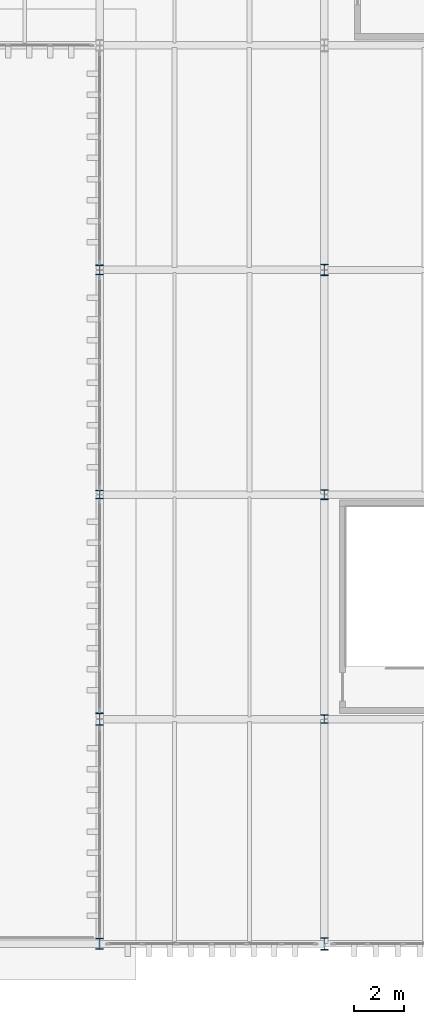
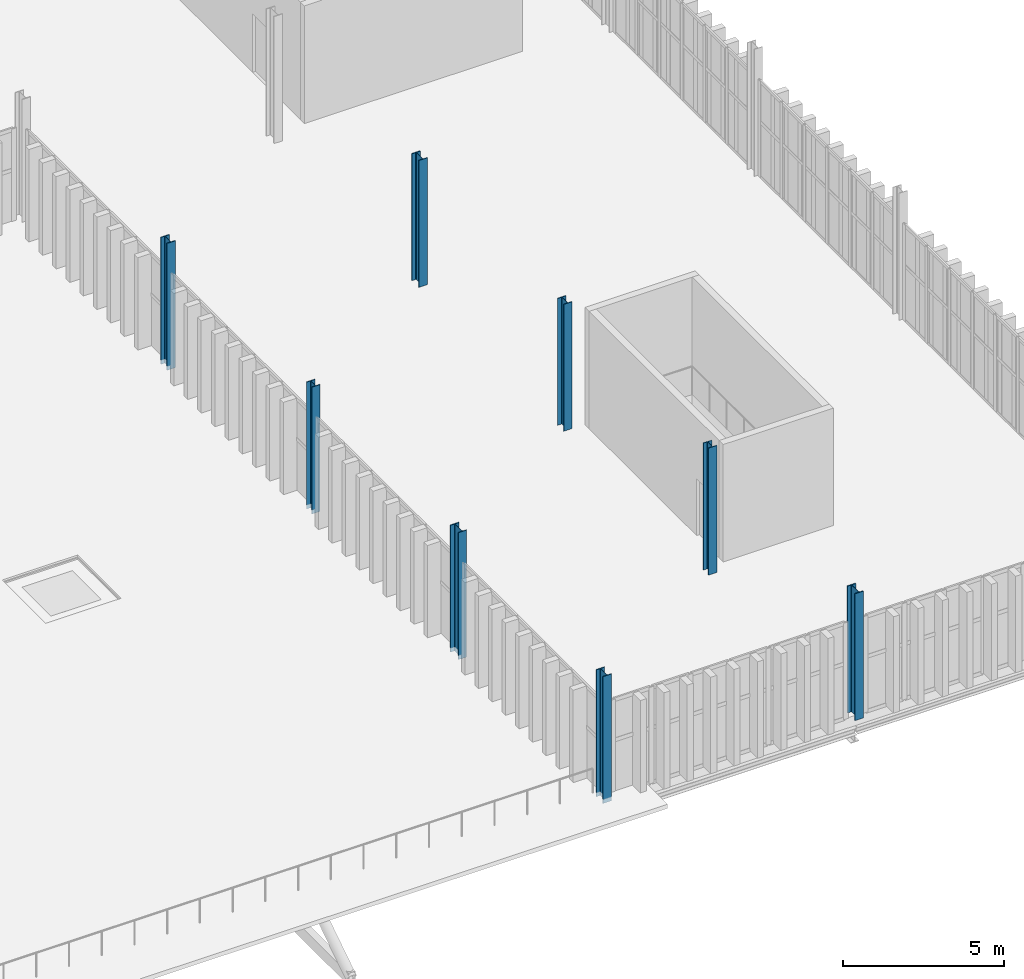
# One storey, part 8 of 196: 8 columns.
"""IFC4 building model written with IfcOpenShell, lengths in metres."""

import ifcopenshell
import ifcopenshell.guid

model = None  # the IFC model being written
_history = None  # IfcOwnerHistory: only IFC2X3 demands one
_inside = {}  # id of a spatial element -> (the spatial element, [elements in it])
_under = {}  # id of a project, library or spatial element -> (it, [spatial elements below it])
_declared = {}  # id of a project -> (the project, [libraries it declares])
_typed = {}  # id of a type object -> (the type object, [elements of that type])
_made_of = {}  # id of a material, layer set ... -> (it, [elements and type objects made of it])


def new_model(schema):
    """Start an empty IFC model of exactly this schema.

    Asked for "IFC4X3", IfcOpenShell would pick the latest addendum, in which some entities
    have other attributes; the version numbers below select the first issue.
    IFC2X3 requires an IfcOwnerHistory on every rooted entity: one is made here for all.
    """
    global model, _history
    if schema == "IFC4X3":
        model = ifcopenshell.file(schema_version=(4, 3, 0, 0))
    else:
        model = ifcopenshell.file(schema=schema)
    _inside.clear()
    _under.clear()
    _declared.clear()
    _typed.clear()
    _made_of.clear()
    _history = None
    if model.schema == "IFC2X3":
        org = make("IfcOrganization", Name="unknown")
        user = make(
            "IfcPersonAndOrganization",
            ThePerson=make("IfcPerson", FamilyName="unknown"),
            TheOrganization=org,
        )
        app = make(
            "IfcApplication",
            ApplicationDeveloper=org,
            Version="unknown",
            ApplicationFullName="unknown",
            ApplicationIdentifier="unknown",
        )
        _history = make(
            "IfcOwnerHistory",
            OwningUser=user,
            OwningApplication=app,
            ChangeAction="ADDED",
            CreationDate=0,
        )
    return model


def make(cls, **values):
    """One entity of the class cls with the attributes given. An attribute that is None is left unset."""
    return model.create_entity(
        cls, **{name: value for name, value in values.items() if value is not None}
    )


def rooted(cls, **values):
    """An entity with a GlobalId (a new one), such as an element, a storey or a relation."""
    return make(cls, GlobalId=ifcopenshell.guid.new(), OwnerHistory=_history, **values)


def si_unit(unit_type, name, prefix=None):
    """IfcSIUnit, for example si_unit("LENGTHUNIT", "METRE", prefix="MILLI")."""
    return make("IfcSIUnit", UnitType=unit_type, Prefix=prefix, Name=name)


def assignment(units):
    """IfcUnitAssignment: the units of a project."""
    return None if units is None else make("IfcUnitAssignment", Units=units)


def point(xyz):
    """IfcCartesianPoint."""
    return None if xyz is None else make("IfcCartesianPoint", Coordinates=xyz)


def direction(xyz):
    """IfcDirection."""
    return None if xyz is None else make("IfcDirection", DirectionRatios=xyz)


def frame(location, z_axis=None, x_axis=None):
    """IfcAxis2Placement3D, a coordinate frame: its origin and axes. An axis left out is left unset."""
    return make(
        "IfcAxis2Placement3D",
        Location=point(location),
        Axis=direction(z_axis),
        RefDirection=direction(x_axis),
    )


def frame_2d(location, x_axis=None):
    """IfcAxis2Placement2D, a coordinate frame in the plane: its origin and x axis."""
    return make(
        "IfcAxis2Placement2D", Location=point(location), RefDirection=direction(x_axis)
    )


def origin():
    """The frame at (0, 0, 0) with its axes left unset."""
    return frame((0.0, 0.0, 0.0))


def origin_2d():
    """The frame at (0, 0) in the plane with its x axis left unset."""
    return frame_2d((0.0, 0.0))


def place(relative_to, where):
    """IfcLocalPlacement: puts the frame where relative to a parent placement (None: the world)."""
    return make(
        "IfcLocalPlacement", PlacementRelTo=relative_to, RelativePlacement=where
    )


def context(
    kind, dimensions, precision=None, world=None, true_north=None, identifier=None
):
    """IfcGeometricRepresentationContext, for example the 3D "Model" context."""
    return make(
        "IfcGeometricRepresentationContext",
        ContextIdentifier=identifier,
        ContextType=kind,
        CoordinateSpaceDimension=dimensions,
        Precision=precision,
        WorldCoordinateSystem=world,
        TrueNorth=true_north,
    )


def subcontext(parent, identifier, kind, view, scale=None):
    """IfcGeometricRepresentationSubContext, for example "Body" below "Model"."""
    return make(
        "IfcGeometricRepresentationSubContext",
        ContextIdentifier=identifier,
        ContextType=kind,
        ParentContext=parent,
        TargetScale=scale,
        TargetView=view,
    )


def project(units=None, contexts=None):
    """IfcProject with its units and contexts."""
    return rooted(
        "IfcProject",
        Name="project",
        RepresentationContexts=contexts,
        UnitsInContext=assignment(units),
    )


def spatial(cls, under=None, at=None, **own):
    """A site, building, storey or space (cls), placed at a placement, below another one or the project."""
    s = rooted(cls, ObjectPlacement=at, **own)
    if under is not None:
        _under.setdefault(under.id(), (under, []))[1].append(s)
    return s


def profile(cls, at=None, kind="AREA", **sizes):
    """A parametric profile (cls). Its sizes go by their IFC names, for example OverallWidth=200.0."""
    return make(cls, ProfileType=kind, Position=at, **sizes)


def i_section(**sizes):
    """IfcIShapeProfileDef."""
    return profile("IfcIShapeProfileDef", **sizes)


def extrude(swept, where, along, depth):
    """IfcExtrudedAreaSolid: the profile swept, set in the frame where, extruded along a direction by depth."""
    return make(
        "IfcExtrudedAreaSolid",
        SweptArea=swept,
        Position=where,
        ExtrudedDirection=direction(along),
        Depth=depth,
    )


def shape(context_of_items, identifier, shape_type, items):
    """IfcShapeRepresentation: the items that make up one representation, for example the "Body"."""
    return make(
        "IfcShapeRepresentation",
        ContextOfItems=context_of_items,
        RepresentationIdentifier=identifier,
        RepresentationType=shape_type,
        Items=items,
    )


def material(Name=None, Category=None):
    """IfcMaterial."""
    return make("IfcMaterial", Name=Name, Category=Category)


def material_profile(
    of_material, cross_section, Name=None, Category=None, Priority=None
):
    """IfcMaterialProfile: a cross section and its material."""
    return make(
        "IfcMaterialProfile",
        Name=Name,
        Material=of_material,
        Profile=cross_section,
        Priority=Priority,
        Category=Category,
    )


def profile_set(profiles, Name=None, composite=None):
    """IfcMaterialProfileSet."""
    return make(
        "IfcMaterialProfileSet",
        Name=Name,
        MaterialProfiles=profiles,
        CompositeProfile=composite,
    )


def made_of(thing, what):
    """Note that an element or type object is made of a material, layer set ...; save() writes the relation."""
    if what is not None:
        _made_of.setdefault(what.id(), (what, []))[1].append(thing)
    return thing


def type_object(cls, material=None, **own):
    """A type object (cls), such as IfcWallType, which elements share."""
    return made_of(rooted(cls, **own), material)


def element(
    cls,
    number,
    at=None,
    inside=None,
    cuts=None,
    type_object=None,
    material=None,
    context=None,
    identifier="Body",
    shape_type=None,
    held_by="IfcProductDefinitionShape",
    body=None,
    shapes=None,
    **own,
):
    """One element of the class cls, such as IfcWall. Its Tag is "e" and its number.

    at: its placement. inside: the storey or other place that contains it. cuts: it is an
    opening in that element (IfcRelVoidsElement). A single representation is given by context,
    identifier, shape_type and body (its items); several are given by shapes. held_by: the class
    of the entity that holds the representations. save() writes the other relations.
    """
    e = rooted(cls, Tag="e%d" % number, ObjectPlacement=at, **own)
    if body is not None:
        shapes = [shape(context, identifier, shape_type, body)]
    if shapes is not None:
        e.Representation = make(held_by, Representations=shapes)
    if inside is not None:
        _inside.setdefault(inside.id(), (inside, []))[1].append(e)
    if cuts is not None:
        rooted(
            "IfcRelVoidsElement", RelatingBuildingElement=cuts, RelatedOpeningElement=e
        )
    if type_object is not None:
        _typed.setdefault(type_object.id(), (type_object, []))[1].append(e)
    return made_of(e, material)


def aggregate(whole, parts):
    """IfcRelAggregates: a whole, such as a stair, and the parts it consists of."""
    return rooted("IfcRelAggregates", RelatingObject=whole, RelatedObjects=parts)


def save(model, path):
    """Write the relations noted so far, then the file.

    IfcRelAggregates (storeys below a building ...), IfcRelContainedInSpatialStructure (elements
    in a storey), IfcRelDefinesByType, IfcRelAssociatesMaterial and IfcRelDeclares: one each for
    every whole, place, type object, material and project.
    """
    for whole, parts in _under.values():
        aggregate(whole, parts)
    for where, things in _inside.values():
        rooted(
            "IfcRelContainedInSpatialStructure",
            RelatedElements=things,
            RelatingStructure=where,
        )
    for kind, things in _typed.values():
        rooted("IfcRelDefinesByType", RelatedObjects=things, RelatingType=kind)
    for what, things in _made_of.values():
        rooted("IfcRelAssociatesMaterial", RelatedObjects=things, RelatingMaterial=what)
    for by, libraries in _declared.values():
        rooted("IfcRelDeclares", RelatingContext=by, RelatedDefinitions=libraries)
    model.write(path)


model = new_model("IFC4")

# Units and contexts
model_context = context("Model", 3, precision=1e-05, world=origin(), true_north=direction((0.0, 1.0)))
body_context = subcontext(model_context, "Body", "Model", "MODEL_VIEW")
ifc_project = project(units=[si_unit("LENGTHUNIT", "METRE"), si_unit("AREAUNIT", "SQUARE_METRE"), si_unit("VOLUMEUNIT", "CUBIC_METRE"), si_unit("PLANEANGLEUNIT", "RADIAN"), si_unit("MASSUNIT", "GRAM", prefix="KILO")], contexts=[model_context])

# Site, building, storey
site_placement = place(None, origin())
site = spatial("IfcSite", under=ifc_project, at=site_placement, CompositionType="ELEMENT")
building_placement = place(site_placement, origin())
building = spatial("IfcBuilding", under=site, at=building_placement, Name="Barlavento Convention Centre", CompositionType="ELEMENT")
storey_placement = place(building_placement, frame((0.0, 0.0, 18.0)))
storey = spatial("IfcBuildingStorey", under=building, at=storey_placement, Name="L03", CompositionType="ELEMENT", Elevation=18.0)

# Columns
ifc_material = material(Name="Steel S355", Category="steel")
ifc_material_profile_1 = material_profile(ifc_material, i_section(OverallWidth=0.300048828125, OverallDepth=0.340087890625, WebThickness=0.011962890625, FlangeThickness=0.021484375, FilletRadius=0.027099609375, at=origin_2d()), Name="HEB 340")
ifc_profile_set_1 = profile_set([ifc_material_profile_1], Name="Steel S355")
column_type_1 = type_object("IfcColumnType", Name="STR-COL-HEB340", PredefinedType="COLUMN", material=ifc_profile_set_1)
for number, where, z_axis, x_axis, name in (
    (1, (171.0, 18.0, 0.0), (0.0, 0.0, 1.0), (1.0, 0.0, 0.0), "L03 column SC12"),
    (2, (180.0, 9.0, 0.0), (0.0, 0.0, 1.0), (1.0, 0.0, 0.0), "L03 column SC12"),
):
    element("IfcColumn", number, at=place(storey_placement, frame(where, z_axis=z_axis, x_axis=x_axis)), inside=storey, type_object=column_type_1, Name=name, PredefinedType="COLUMN", context=body_context, shape_type="SweptSolid", body=[
        extrude(i_section(OverallWidth=0.300048828125, OverallDepth=0.340087890625, WebThickness=0.011962890625, FlangeThickness=0.021484375, FilletRadius=0.027099609375, at=origin_2d()), origin(), (0.0, 0.0, 1.0), 4.800048828125),
    ])
ifc_material_profile_2 = material_profile(ifc_material, i_section(OverallWidth=0.300048828125, OverallDepth=0.39990234375, WebThickness=0.013427734375, FlangeThickness=0.02392578125, FilletRadius=0.027099609375, at=origin_2d()), Name="HEB 400")
ifc_profile_set_2 = profile_set([ifc_material_profile_2], Name="Steel S355")
column_type_2 = type_object("IfcColumnType", Name="STR-COL-HEB400", PredefinedType="COLUMN", material=ifc_profile_set_2)
for number, where, z_axis, x_axis, name in (
    (3, (171.0, 27.0, 0.0), (0.0, 0.0, 1.0), (1.0, 0.0, 0.0), "L03 column SC11"),
    (4, (180.0, 18.0, 0.0), (0.0, 0.0, 1.0), (1.0, 0.0, 0.0), "L03 column SC11"),
):
    element("IfcColumn", number, at=place(storey_placement, frame(where, z_axis=z_axis, x_axis=x_axis)), inside=storey, type_object=column_type_2, Name=name, PredefinedType="COLUMN", context=body_context, shape_type="SweptSolid", body=[
        extrude(i_section(OverallWidth=0.300048828125, OverallDepth=0.39990234375, WebThickness=0.013427734375, FlangeThickness=0.02392578125, FilletRadius=0.027099609375, at=origin_2d()), origin(), (0.0, 0.0, 1.0), 4.800048828125),
    ])
ifc_material_profile_3 = material_profile(ifc_material, i_section(OverallWidth=0.300048828125, OverallDepth=0.449951171875, WebThickness=0.013916015625, FlangeThickness=0.02587890625, FilletRadius=0.027099609375, at=origin_2d()), Name="HEB 450")
ifc_profile_set_3 = profile_set([ifc_material_profile_3], Name="Steel S355")
column_type_3 = type_object("IfcColumnType", Name="STR-COL-HEB450", PredefinedType="COLUMN", material=ifc_profile_set_3)
for number, where, z_axis, x_axis, name in (
    (5, (171.0, 0.0, 0.0), (0.0, 0.0, 1.0), (1.0, 0.0, 0.0), "L03 column SC10"),
    (6, (180.0, 27.0, 0.0), (0.0, 0.0, 1.0), (1.0, 0.0, 0.0), "L03 column SC10"),
):
    element("IfcColumn", number, at=place(storey_placement, frame(where, z_axis=z_axis, x_axis=x_axis)), inside=storey, type_object=column_type_3, Name=name, PredefinedType="COLUMN", context=body_context, shape_type="SweptSolid", body=[
        extrude(i_section(OverallWidth=0.300048828125, OverallDepth=0.449951171875, WebThickness=0.013916015625, FlangeThickness=0.02587890625, FilletRadius=0.027099609375, at=origin_2d()), origin(), (0.0, 0.0, 1.0), 4.800048828125),
    ])
ifc_material_profile_4 = material_profile(ifc_material, i_section(OverallWidth=0.300048828125, OverallDepth=0.5, WebThickness=0.014404296875, FlangeThickness=0.028076171875, FilletRadius=0.027099609375, at=origin_2d()), Name="HEB 500")
ifc_profile_set_4 = profile_set([ifc_material_profile_4], Name="Steel S355")
column_type_4 = type_object("IfcColumnType", Name="STR-COL-HEB500", PredefinedType="COLUMN", material=ifc_profile_set_4)
for number, where, z_axis, x_axis, name in (
    (7, (171.0, 9.0, 0.0), (0.0, 0.0, 1.0), (1.0, 0.0, 0.0), "L03 column SC09"),
    (8, (180.0, 0.0, 0.0), (0.0, 0.0, 1.0), (1.0, 0.0, 0.0), "L03 column SC09"),
):
    element("IfcColumn", number, at=place(storey_placement, frame(where, z_axis=z_axis, x_axis=x_axis)), inside=storey, type_object=column_type_4, Name=name, PredefinedType="COLUMN", context=body_context, shape_type="SweptSolid", body=[
        extrude(i_section(OverallWidth=0.300048828125, OverallDepth=0.5, WebThickness=0.014404296875, FlangeThickness=0.028076171875, FilletRadius=0.027099609375, at=origin_2d()), origin(), (0.0, 0.0, 1.0), 4.800048828125),
    ])

save(model, "model.ifc")
